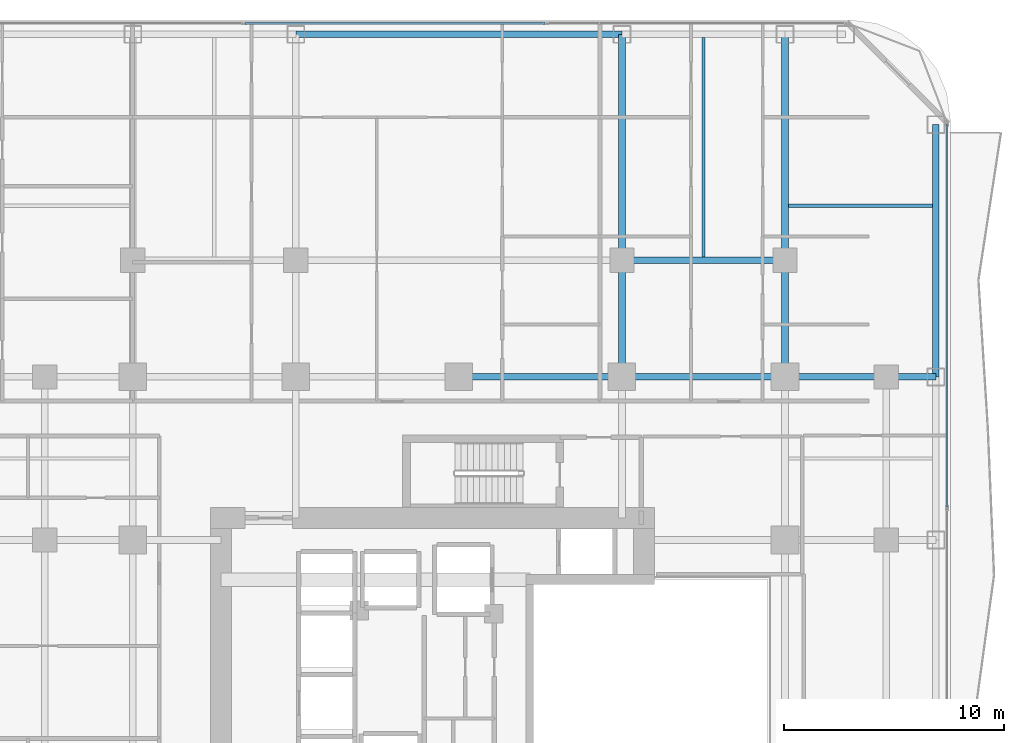
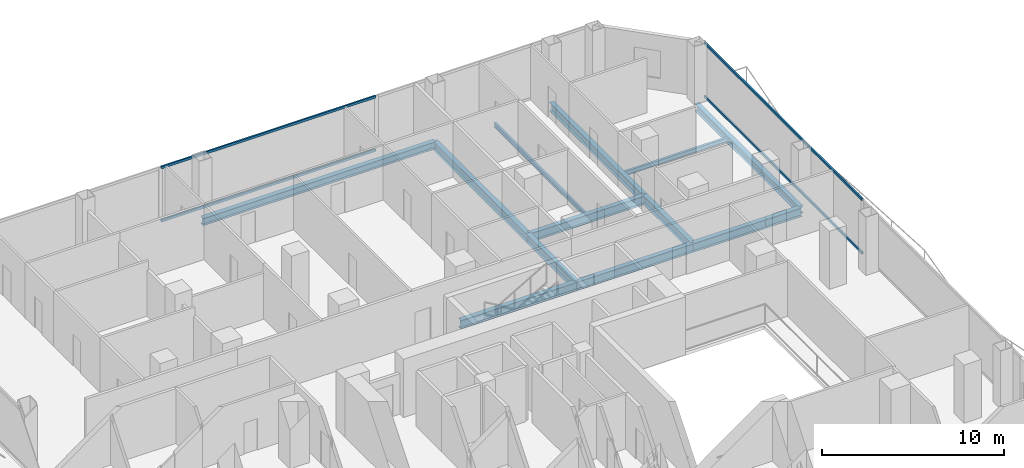
# One storey, part 16 of 28: 13 beams, 4 members, 2 elements without a shape of their own.
"""IFC4 building model written with IfcOpenShell, lengths in metres."""

from ifc_helpers import new_model, si_unit, direction, frame, origin, origin_2d, place, context, subcontext, project, spatial, hollow_rectangle, i_section, extrude, material, layer, layer_set, material_profile, profile_set, type_object, element, aggregate, save


model = new_model("IFC4")

# Units and contexts
model_context = context("Model", 3, precision=1e-05, world=origin(), true_north=direction((0.0, 1.0)))
body_context = subcontext(model_context, "Body", "Model", "MODEL_VIEW")
ifc_project = project(units=[si_unit("LENGTHUNIT", "METRE"), si_unit("AREAUNIT", "SQUARE_METRE"), si_unit("VOLUMEUNIT", "CUBIC_METRE"), si_unit("PLANEANGLEUNIT", "RADIAN"), si_unit("MASSUNIT", "GRAM", prefix="KILO")], contexts=[model_context])

# Site, building, storey
site_placement = place(None, origin())
site = spatial("IfcSite", under=ifc_project, at=site_placement, CompositionType="ELEMENT")
building_placement = place(site_placement, origin())
building = spatial("IfcBuilding", under=site, at=building_placement, Name="Khorvyn Point Tower", CompositionType="ELEMENT")
storey_placement = place(building_placement, frame((0.0, 0.0, 100.800048828125)))
storey = spatial("IfcBuildingStorey", under=building, at=storey_placement, Name="L25", CompositionType="ELEMENT", Elevation=100.800048828125)

# Curtain wall, members
ifc_material_1 = material(Name="Anodised aluminium 6063-T6 and laminated Low-E glass", Category="aluminium")
ifc_layer = layer(ifc_material_1, 0.18994140625)
ifc_layer_set = layer_set([ifc_layer], Name="Stick-Built Finned Residential Curtain Wall CW-SYS-02")
curtain_wall_type = type_object("IfcCurtainWallType", Name="Stick-Built Finned Residential Curtain Wall CW-SYS-02", PredefinedType="NOTDEFINED", material=ifc_layer_set)
curtain_wall_1_placement = place(storey_placement, origin())
curtain_wall_1 = element("IfcCurtainWall", 1, at=curtain_wall_1_placement, inside=storey, type_object=curtain_wall_type, Name="Curtain Wall", PredefinedType="NOTDEFINED")
ifc_material_2 = material(Name="Anodised aluminium 6063-T6", Category="aluminium")
ifc_material_profile_1 = material_profile(ifc_material_2, hollow_rectangle(XDim=0.10009765625, YDim=0.159912109375, WallThickness=0.00439453125, at=origin_2d()))
ifc_profile_set_1 = profile_set([ifc_material_profile_1], Name="Anodised aluminium 6063-T6 ALU-TRN-100x160")
member_type = type_object("IfcMemberType", Name="Anodised Aluminium 6063-T6 Transom ALU-TRN-100x160", PredefinedType="USERDEFINED", material=ifc_profile_set_1)
member_1_placement = place(storey_placement, frame((-9.699951171875, 30.85009765625, 0.050048828125), z_axis=(1.0, 0.0, 0.0), x_axis=(0.0, 1.0, 0.0)))
member_1 = element("IfcMember", 2, at=member_1_placement, type_object=member_type, Name="Transom", ObjectType="TRANSOM", PredefinedType="USERDEFINED", context=body_context, shape_type="SweptSolid", body=[
    extrude(hollow_rectangle(XDim=0.10009765625, YDim=0.159912109375, WallThickness=0.00439453125, at=origin_2d()), origin(), (0.0, 0.0, 1.0), 13.599853515625),
])
member_2_placement = place(storey_placement, frame((-9.699951171875, 30.85009765625, 3.6298828125), z_axis=(1.0, 0.0, 0.0), x_axis=(0.0, 1.0, 0.0)))
member_2 = element("IfcMember", 3, at=member_2_placement, type_object=member_type, Name="Transom", ObjectType="TRANSOM", PredefinedType="USERDEFINED", context=body_context, shape_type="SweptSolid", body=[
    extrude(hollow_rectangle(XDim=0.10009765625, YDim=0.159912109375, WallThickness=0.00439453125, at=origin_2d()), origin(), (0.0, 0.0, 1.0), 13.599853515625),
])
aggregate(curtain_wall_1, [member_1, member_2])

curtain_wall_2_placement = place(storey_placement, origin())
curtain_wall_2 = element("IfcCurtainWall", 4, at=curtain_wall_2_placement, inside=storey, type_object=curtain_wall_type, Name="Curtain Wall", PredefinedType="NOTDEFINED")
member_3_placement = place(storey_placement, frame((22.14990234375, 26.25, 0.050048828125), z_axis=(0.0, -1.0, 0.0), x_axis=(1.0, 0.0, 0.0)))
member_3 = element("IfcMember", 5, at=member_3_placement, type_object=member_type, Name="Transom", ObjectType="TRANSOM", PredefinedType="USERDEFINED", context=body_context, shape_type="SweptSolid", body=[
    extrude(hollow_rectangle(XDim=0.10009765625, YDim=0.159912109375, WallThickness=0.00439453125, at=origin_2d()), origin(), (0.0, 0.0, 1.0), 17.348388671875),
])
member_4_placement = place(storey_placement, frame((22.14990234375, 26.25, 3.6298828125), z_axis=(0.0, -1.0, 0.0), x_axis=(1.0, 0.0, 0.0)))
member_4 = element("IfcMember", 6, at=member_4_placement, type_object=member_type, Name="Transom", ObjectType="TRANSOM", PredefinedType="USERDEFINED", context=body_context, shape_type="SweptSolid", body=[
    extrude(hollow_rectangle(XDim=0.10009765625, YDim=0.159912109375, WallThickness=0.00439453125, at=origin_2d()), origin(), (0.0, 0.0, 1.0), 17.348388671875),
])
aggregate(curtain_wall_2, [member_3, member_4])

# Beams
ifc_material_3 = material(Name="Steel S355", Category="steel")
ifc_material_profile_2 = material_profile(ifc_material_3, i_section(OverallWidth=0.300048828125, OverallDepth=0.587890625, WebThickness=0.011962890625, FlangeThickness=0.02001953125, at=origin_2d()))
ifc_profile_set_2 = profile_set([ifc_material_profile_2], Name="Steel S355 H588x300x12x20")
beam_type_1 = type_object("IfcBeamType", Name="Steel S355 Beam H588x300x12x20", PredefinedType="BEAM", material=ifc_profile_set_2)
beam_1_placement = place(storey_placement, frame((0.0, 14.800048828125, -0.51416015625), z_axis=(1.0, 0.0, 0.0), x_axis=(0.0, 1.0, 0.0)))
element("IfcBeam", 7, at=beam_1_placement, inside=storey, type_object=beam_type_1, Name="Beam", PredefinedType="BEAM", context=body_context, shape_type="SweptSolid", body=[
    extrude(i_section(OverallWidth=0.300048828125, OverallDepth=0.587890625, WebThickness=0.011962890625, FlangeThickness=0.02001953125, at=origin_2d()), origin(), (0.0, 0.0, 1.0), 7.39990234375),
])
beam_2_placement = place(storey_placement, frame((7.39990234375, 14.800048828125, -0.51416015625), z_axis=(1.0, 0.0, 0.0), x_axis=(0.0, 1.0, 0.0)))
element("IfcBeam", 8, at=beam_2_placement, inside=storey, type_object=beam_type_1, Name="Beam", PredefinedType="BEAM", context=body_context, shape_type="SweptSolid", body=[
    extrude(i_section(OverallWidth=0.300048828125, OverallDepth=0.587890625, WebThickness=0.011962890625, FlangeThickness=0.02001953125, at=origin_2d()), origin(), (0.0, 0.0, 1.0), 7.400146484375),
])
beam_3_placement = place(storey_placement, frame((14.800048828125, 14.800048828125, -0.51416015625), z_axis=(1.0, 0.0, 0.0), x_axis=(0.0, 1.0, 0.0)))
element("IfcBeam", 9, at=beam_3_placement, inside=storey, type_object=beam_type_1, Name="Beam", PredefinedType="BEAM", context=body_context, shape_type="SweptSolid", body=[
    extrude(i_section(OverallWidth=0.300048828125, OverallDepth=0.587890625, WebThickness=0.011962890625, FlangeThickness=0.02001953125, at=origin_2d()), origin(), (0.0, 0.0, 1.0), 4.599853515625),
])
beam_4_placement = place(storey_placement, frame((19.39990234375, 14.800048828125, -0.51416015625), z_axis=(1.0, 0.0, 0.0), x_axis=(0.0, 1.0, 0.0)))
element("IfcBeam", 10, at=beam_4_placement, inside=storey, type_object=beam_type_1, Name="Beam", PredefinedType="BEAM", context=body_context, shape_type="SweptSolid", body=[
    extrude(i_section(OverallWidth=0.300048828125, OverallDepth=0.587890625, WebThickness=0.011962890625, FlangeThickness=0.02001953125, at=origin_2d()), origin(), (0.0, 0.0, 1.0), 2.25),
])
beam_5_placement = place(storey_placement, frame((7.39990234375, 20.10009765625, -0.51416015625), z_axis=(1.0, 0.0, 0.0), x_axis=(0.0, 1.0, 0.0)))
element("IfcBeam", 11, at=beam_5_placement, inside=storey, type_object=beam_type_1, Name="Beam", PredefinedType="BEAM", context=body_context, shape_type="SweptSolid", body=[
    extrude(i_section(OverallWidth=0.300048828125, OverallDepth=0.587890625, WebThickness=0.011962890625, FlangeThickness=0.02001953125, at=origin_2d()), origin(), (0.0, 0.0, 1.0), 7.400146484375),
])
beam_6_placement = place(storey_placement, frame((14.800048828125, 14.800048828125, -0.51416015625), z_axis=(0.0, 1.0, 0.0), x_axis=(-1.0, 0.0, 0.0)))
element("IfcBeam", 12, at=beam_6_placement, inside=storey, type_object=beam_type_1, Name="Beam", PredefinedType="BEAM", context=body_context, shape_type="SweptSolid", body=[
    extrude(i_section(OverallWidth=0.300048828125, OverallDepth=0.587890625, WebThickness=0.011962890625, FlangeThickness=0.02001953125, at=origin_2d()), origin(), (0.0, 0.0, 1.0), 5.300048828125),
])
beam_7_placement = place(storey_placement, frame((14.800048828125, 20.10009765625, -0.51416015625), z_axis=(0.0, 1.0, 0.0), x_axis=(-1.0, 0.0, 0.0)))
element("IfcBeam", 13, at=beam_7_placement, inside=storey, type_object=beam_type_1, Name="Beam", PredefinedType="BEAM", context=body_context, shape_type="SweptSolid", body=[
    extrude(i_section(OverallWidth=0.300048828125, OverallDepth=0.587890625, WebThickness=0.011962890625, FlangeThickness=0.02001953125, at=origin_2d()), origin(), (0.0, 0.0, 1.0), 10.25),
])
beam_8_placement = place(storey_placement, frame((7.39990234375, 14.800048828125, -0.51416015625), z_axis=(0.0, 1.0, 0.0), x_axis=(-1.0, 0.0, 0.0)))
element("IfcBeam", 14, at=beam_8_placement, inside=storey, type_object=beam_type_1, Name="Beam", PredefinedType="BEAM", context=body_context, shape_type="SweptSolid", body=[
    extrude(i_section(OverallWidth=0.300048828125, OverallDepth=0.587890625, WebThickness=0.011962890625, FlangeThickness=0.02001953125, at=origin_2d()), origin(), (0.0, 0.0, 1.0), 5.300048828125),
])
beam_9_placement = place(storey_placement, frame((7.39990234375, 20.10009765625, -0.51416015625), z_axis=(0.0, 1.0, 0.0), x_axis=(-1.0, 0.0, 0.0)))
element("IfcBeam", 15, at=beam_9_placement, inside=storey, type_object=beam_type_1, Name="Beam", PredefinedType="BEAM", context=body_context, shape_type="SweptSolid", body=[
    extrude(i_section(OverallWidth=0.300048828125, OverallDepth=0.587890625, WebThickness=0.011962890625, FlangeThickness=0.02001953125, at=origin_2d()), origin(), (0.0, 0.0, 1.0), 10.25),
])
ifc_material_profile_3 = material_profile(ifc_material_3, i_section(OverallWidth=0.14990234375, OverallDepth=0.300048828125, WebThickness=0.006591796875, FlangeThickness=0.009033203125, at=origin_2d()))
ifc_profile_set_3 = profile_set([ifc_material_profile_3], Name="Steel S355 H300x150x6.5x9")
beam_type_2 = type_object("IfcBeamType", Name="Steel S355 Joist H300x150x6.5x9", PredefinedType="JOIST", material=ifc_profile_set_3)
beam_10_placement = place(storey_placement, frame((11.10009765625, 20.25, -0.3701171875), z_axis=(0.0, 1.0, 0.0), x_axis=(-1.0, 0.0, 0.0)))
element("IfcBeam", 16, at=beam_10_placement, inside=storey, type_object=beam_type_2, Name="Beam", PredefinedType="JOIST", context=body_context, shape_type="SweptSolid", body=[
    extrude(i_section(OverallWidth=0.14990234375, OverallDepth=0.300048828125, WebThickness=0.006591796875, FlangeThickness=0.009033203125, at=origin_2d()), origin(), (0.0, 0.0, 1.0), 9.949951171875),
])
beam_11_placement = place(storey_placement, frame((14.949951171875, 22.574951171875, -0.3701171875), z_axis=(1.0, 0.0, 0.0), x_axis=(0.0, 1.0, 0.0)))
element("IfcBeam", 17, at=beam_11_placement, inside=storey, type_object=beam_type_2, Name="Beam", PredefinedType="JOIST", context=body_context, shape_type="SweptSolid", body=[
    extrude(i_section(OverallWidth=0.14990234375, OverallDepth=0.300048828125, WebThickness=0.006591796875, FlangeThickness=0.009033203125, at=origin_2d()), origin(), (0.0, 0.0, 1.0), 6.550048828125),
])
ifc_material_profile_4 = material_profile(ifc_material_3, i_section(OverallWidth=0.300048828125, OverallDepth=0.488037109375, WebThickness=0.010986328125, FlangeThickness=0.01806640625, at=origin_2d()))
ifc_profile_set_4 = profile_set([ifc_material_profile_4], Name="Steel S355 H488x300x11x18")
beam_type_3 = type_object("IfcBeamType", Name="Steel S355 Spandrel H488x300x11x18", PredefinedType="SPANDREL", material=ifc_profile_set_4)
beam_12_placement = place(storey_placement, frame((-7.39990234375, 30.35009765625, -0.464111328125), z_axis=(1.0, 0.0, 0.0), x_axis=(0.0, 1.0, 0.0)))
element("IfcBeam", 18, at=beam_12_placement, inside=storey, type_object=beam_type_3, Name="Beam", PredefinedType="SPANDREL", context=body_context, shape_type="SweptSolid", body=[
    extrude(i_section(OverallWidth=0.300048828125, OverallDepth=0.488037109375, WebThickness=0.010986328125, FlangeThickness=0.01806640625, at=origin_2d()), origin(), (0.0, 0.0, 1.0), 14.7998046875),
])
beam_13_placement = place(storey_placement, frame((21.64990234375, 14.800048828125, -0.464111328125), z_axis=(0.0, 1.0, 0.0), x_axis=(-1.0, 0.0, 0.0)))
element("IfcBeam", 19, at=beam_13_placement, inside=storey, type_object=beam_type_3, Name="Beam", PredefinedType="SPANDREL", context=body_context, shape_type="SweptSolid", body=[
    extrude(i_section(OverallWidth=0.300048828125, OverallDepth=0.488037109375, WebThickness=0.010986328125, FlangeThickness=0.01806640625, at=origin_2d()), origin(), (0.0, 0.0, 1.0), 11.449951171875),
])

save(model, "model.ifc")
